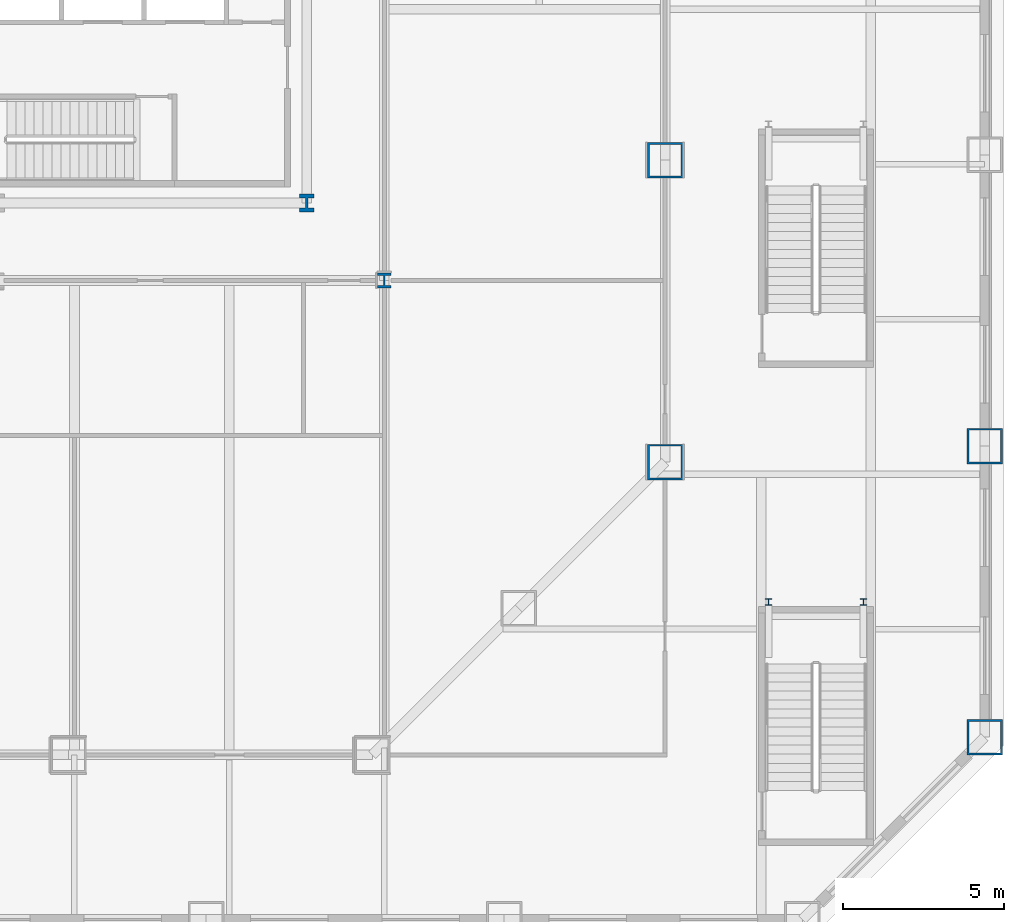
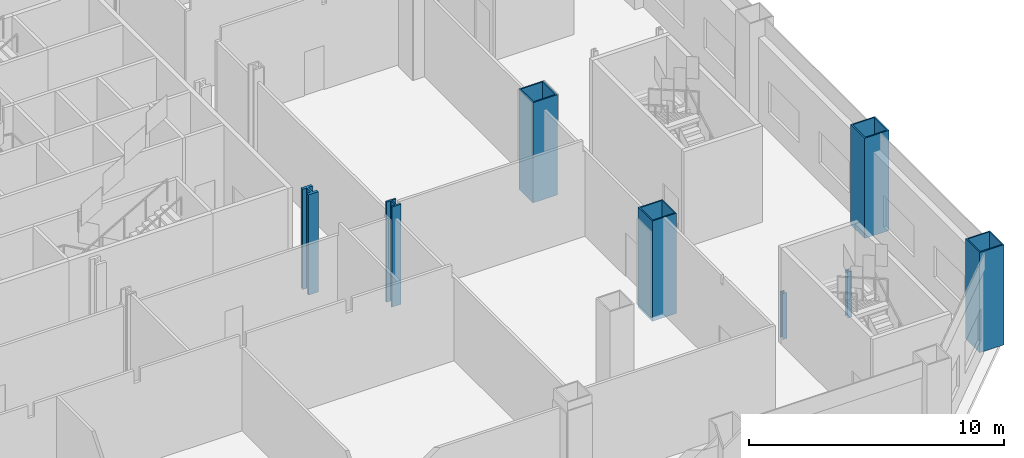
# One storey, part 5 of 25: 8 columns.
"""IFC4 building model written with IfcOpenShell, lengths in metres."""

from ifc_helpers import new_model, si_unit, direction, frame, origin, origin_2d, place, context, subcontext, project, spatial, hollow_rectangle, i_section, extrude, material, material_profile, profile_set, type_object, element, save


model = new_model("IFC4")

# Units and contexts
model_context = context("Model", 3, precision=1e-05, world=origin(), true_north=direction((0.0, 1.0)))
body_context = subcontext(model_context, "Body", "Model", "MODEL_VIEW")
ifc_project = project(units=[si_unit("LENGTHUNIT", "METRE"), si_unit("AREAUNIT", "SQUARE_METRE"), si_unit("VOLUMEUNIT", "CUBIC_METRE"), si_unit("PLANEANGLEUNIT", "RADIAN"), si_unit("MASSUNIT", "GRAM", prefix="KILO")], contexts=[model_context])

# Site, building, storey
site_placement = place(None, origin())
site = spatial("IfcSite", under=ifc_project, at=site_placement, CompositionType="ELEMENT")
building_placement = place(site_placement, origin())
building = spatial("IfcBuilding", under=site, at=building_placement, Name="Cairn Pilgrim Tower", CompositionType="ELEMENT")
storey_placement = place(building_placement, frame((0.0, 0.0, 30.60009765625)))
storey = spatial("IfcBuildingStorey", under=building, at=storey_placement, Name="L05", CompositionType="ELEMENT", Elevation=30.60009765625)

# Columns
ifc_material_1 = material(Name="Structural steel S460M", Category="steel")
ifc_material_profile_1 = material_profile(ifc_material_1, hollow_rectangle(XDim=1.10009765625, YDim=1.10009765625, WallThickness=0.06005859375, at=origin_2d()), Name="BOX 1100x1100x60")
ifc_profile_set_1 = profile_set([ifc_material_profile_1], Name="Structural steel S460M")
column_type_1 = type_object("IfcColumnType", Name="BOX 1100x1100x60", PredefinedType="COLUMN", material=ifc_profile_set_1)
for number, where, z_axis, x_axis, name in (
    (1, (27.89990234375, -14.027099609375, -0.2001953125), (0.0, 0.0, 1.0), (1.0, 0.0, 0.0), "PC1-E1"),
    (2, (27.89990234375, -4.67578125, -0.2001953125), (0.0, 0.0, 1.0), (1.0, 0.0, 0.0), "PC1-E2"),
):
    element("IfcColumn", number, at=place(storey_placement, frame(where, z_axis=z_axis, x_axis=x_axis)), inside=storey, type_object=column_type_1, Name=name, PredefinedType="COLUMN", context=body_context, shape_type="SweptSolid", body=[
        extrude(hollow_rectangle(XDim=1.10009765625, YDim=1.10009765625, WallThickness=0.06005859375, at=origin_2d()), origin(), (0.0, 0.0, 1.0), 4.800048828125),
    ])
ifc_material_profile_2 = material_profile(ifc_material_1, i_section(OverallWidth=0.4541015625, OverallDepth=0.569091796875, WebThickness=0.077880859375, FlangeThickness=0.125, FilletRadius=0.014892578125, at=origin_2d()), Name="HD 400x1086")
ifc_profile_set_2 = profile_set([ifc_material_profile_2], Name="Structural steel S460M")
column_type_2 = type_object("IfcColumnType", Name="HD 400x1086", PredefinedType="COLUMN", material=ifc_profile_set_2)
column_1_placement = place(storey_placement, frame((16.800048828125, -6.0, -0.2001953125), z_axis=(0.0, 0.0, 1.0), x_axis=(1.0, 0.0, 0.0)))
element("IfcColumn", 3, at=column_1_placement, inside=storey, type_object=column_type_2, Name="KC-3", PredefinedType="COLUMN", context=body_context, shape_type="SweptSolid", body=[
    extrude(i_section(OverallWidth=0.4541015625, OverallDepth=0.569091796875, WebThickness=0.077880859375, FlangeThickness=0.125, FilletRadius=0.014892578125, at=origin_2d()), origin(), (0.0, 0.0, 1.0), 4.800048828125),
])
ifc_material_profile_3 = material_profile(ifc_material_1, i_section(OverallWidth=0.424072265625, OverallDepth=0.47412109375, WebThickness=0.047607421875, FlangeThickness=0.0771484375, FilletRadius=0.014892578125, at=origin_2d()), Name="HD 400x634")
ifc_profile_set_3 = profile_set([ifc_material_profile_3], Name="Structural steel S460M")
column_type_3 = type_object("IfcColumnType", Name="HD 400x634", PredefinedType="COLUMN", material=ifc_profile_set_3)
column_2_placement = place(storey_placement, frame((19.199951171875, -8.39990234375, -0.2001953125), z_axis=(0.0, 0.0, 1.0), x_axis=(1.0, 0.0, 0.0)))
element("IfcColumn", 4, at=column_2_placement, inside=storey, type_object=column_type_3, Name="IC-3", PredefinedType="COLUMN", context=body_context, shape_type="SweptSolid", body=[
    extrude(i_section(OverallWidth=0.424072265625, OverallDepth=0.47412109375, WebThickness=0.047607421875, FlangeThickness=0.0771484375, FilletRadius=0.014892578125, at=origin_2d()), origin(), (0.0, 0.0, 1.0), 4.800048828125),
])
ifc_material_profile_4 = material_profile(ifc_material_1, hollow_rectangle(XDim=1.10009765625, YDim=1.10009765625, WallThickness=0.06005859375, at=origin_2d()), Name="BOX 1100x1100x60")
ifc_profile_set_4 = profile_set([ifc_material_profile_4], Name="Structural steel S460M")
column_type_4 = type_object("IfcColumnType", Name="PILOTIS CFT 1100", PredefinedType="COLUMN", material=ifc_profile_set_4)
for number, where, z_axis, x_axis, name in (
    (5, (37.800048828125, -22.551513671875, 0.0), (0.0, 0.0, 1.0), (1.0, 0.0, 0.0), "PILOTIS PL-E1"),
    (6, (37.800048828125, -13.531005859375, 0.0), (0.0, 0.0, 1.0), (1.0, 0.0, 0.0), "PILOTIS PL-E2"),
):
    element("IfcColumn", number, at=place(storey_placement, frame(where, z_axis=z_axis, x_axis=x_axis)), inside=storey, type_object=column_type_4, Name=name, PredefinedType="COLUMN", context=body_context, shape_type="SweptSolid", body=[
        extrude(hollow_rectangle(XDim=1.10009765625, YDim=1.10009765625, WallThickness=0.06005859375, at=origin_2d()), origin(), (0.0, 0.0, 1.0), 4.7998046875),
    ])
ifc_material_2 = material(Name="Structural steel S355J2", Category="steel")
ifc_material_profile_5 = material_profile(ifc_material_2, i_section(OverallWidth=0.199951171875, OverallDepth=0.199951171875, WebThickness=0.009033203125, FlangeThickness=0.014892578125, FilletRadius=0.01806640625, at=origin_2d()), Name="HE 200 B")
ifc_profile_set_5 = profile_set([ifc_material_profile_5], Name="Structural steel S355J2")
column_type_5 = type_object("IfcColumnType", Name="STAIR POST HE 200 B", PredefinedType="COLUMN", material=ifc_profile_set_5)
for number, where, z_axis, x_axis, name in (
    (7, (31.10498046875, -18.360107421875, 0.0), (0.0, 0.0, 1.0), (1.0, 0.0, 0.0), "STAIR POST LP-ES1-NA"),
    (8, (34.044921875, -18.360107421875, 0.0), (0.0, 0.0, 1.0), (1.0, 0.0, 0.0), "STAIR POST LP-ES1-NB"),
):
    element("IfcColumn", number, at=place(storey_placement, frame(where, z_axis=z_axis, x_axis=x_axis)), inside=storey, type_object=column_type_5, Name=name, PredefinedType="COLUMN", context=body_context, shape_type="SweptSolid", body=[
        extrude(i_section(OverallWidth=0.199951171875, OverallDepth=0.199951171875, WebThickness=0.009033203125, FlangeThickness=0.014892578125, FilletRadius=0.01806640625, at=origin_2d()), origin(), (0.0, 0.0, 1.0), 2.199951171875),
    ])

save(model, "model.ifc")
